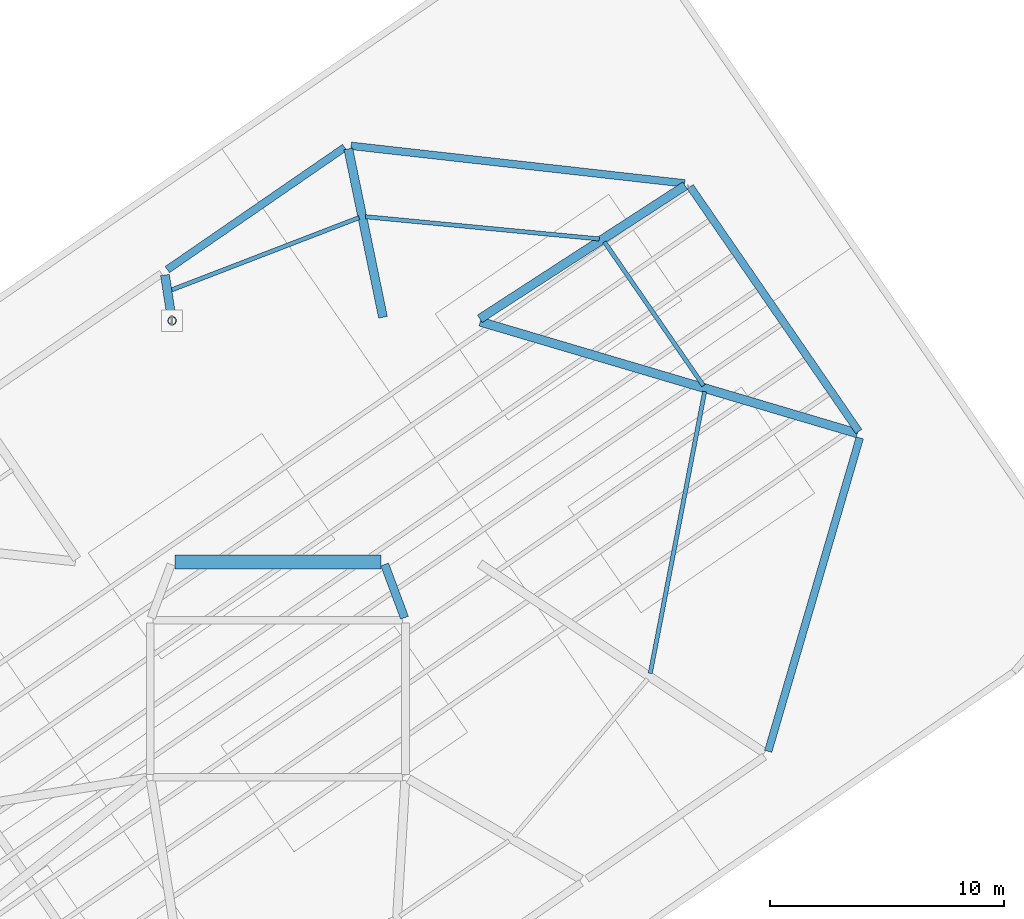
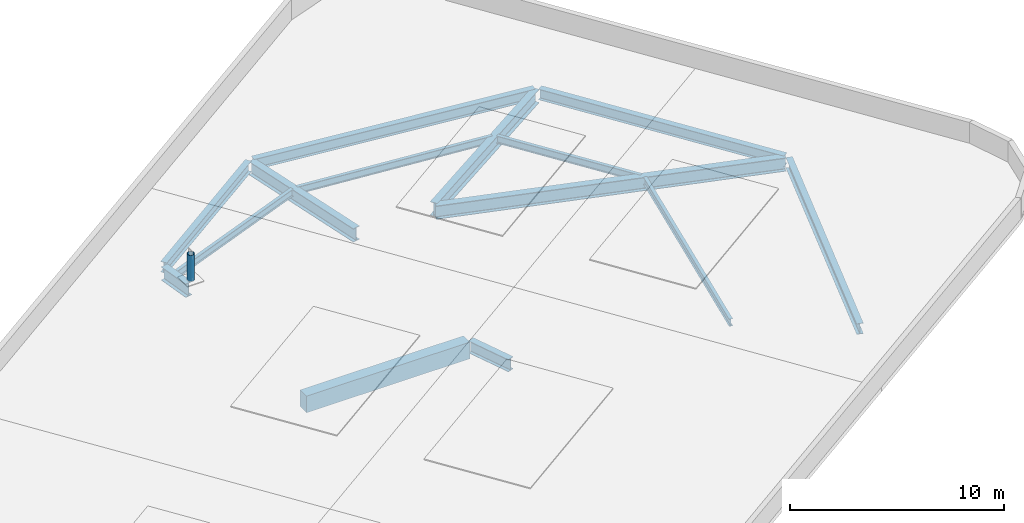
# One storey, part 2 of 7: 14 beams, 1 member.
"""IFC4 building model written with IfcOpenShell, lengths in metres."""

from ifc_helpers import new_model, si_unit, direction, frame, origin, origin_2d, place, context, subcontext, project, spatial, rectangle, hollow_circle, i_section, extrude, material, material_profile, profile_set, type_object, element, save


model = new_model("IFC4")

# Units and contexts
model_context = context("Model", 3, precision=1e-05, world=origin(), true_north=direction((0.0, 1.0)))
body_context = subcontext(model_context, "Body", "Model", "MODEL_VIEW")
ifc_project = project(units=[si_unit("LENGTHUNIT", "METRE"), si_unit("AREAUNIT", "SQUARE_METRE"), si_unit("VOLUMEUNIT", "CUBIC_METRE"), si_unit("PLANEANGLEUNIT", "RADIAN"), si_unit("MASSUNIT", "GRAM", prefix="KILO")], contexts=[model_context])

# Site, building, storey
site_placement = place(None, origin())
site = spatial("IfcSite", under=ifc_project, at=site_placement, CompositionType="ELEMENT")
building_placement = place(site_placement, origin())
building = spatial("IfcBuilding", under=site, at=building_placement, Name="Varnelok Gate Tower", CompositionType="ELEMENT")
storey_placement = place(building_placement, frame((0.0, 0.0, 310.699951171875)))
storey = spatial("IfcBuildingStorey", under=building, at=storey_placement, Name="ROOF", CompositionType="ELEMENT", Elevation=310.699951171875)

# Beams
ifc_material_1 = material(Name="Structural Steel ASTM A992 Grade 50", Category="steel")
ifc_material_profile_1 = material_profile(ifc_material_1, i_section(OverallWidth=0.180908203125, OverallDepth=0.4169921875, WebThickness=0.010986328125, FlangeThickness=0.018310546875, FilletRadius=0.013916015625, at=origin_2d()), Name="W16X57")
ifc_profile_set_1 = profile_set([ifc_material_profile_1], Name="Structural Steel ASTM A992 Grade 50")
beam_type_1 = type_object("IfcBeamType", Name="BM-JST-W16X57", PredefinedType="JOIST", material=ifc_profile_set_1)
beam_1_placement = place(storey_placement, frame((55.10693359375, 23.98681640625, -0.468505859375), z_axis=(0.189562394842, 0.98186867679, 0.0), x_axis=(-0.98186867679, 0.189562394842, 0.0)))
element("IfcBeam", 1, at=beam_1_placement, inside=storey, type_object=beam_type_1, Name="ROOF Sector Floor Joist 4", PredefinedType="JOIST", context=body_context, shape_type="SweptSolid", body=[
    extrude(i_section(OverallWidth=0.180908203125, OverallDepth=0.4169921875, WebThickness=0.010986328125, FlangeThickness=0.018310546875, FilletRadius=0.013916015625, at=origin_2d()), origin(), (0.0, 0.0, 1.0), 12.25830078125),
])
beam_2_placement = place(storey_placement, frame((57.377685546875, 36.27587890625, -0.468505859375), z_axis=(-0.567272169086, 0.823530379634, 0.0), x_axis=(-0.823530379634, -0.567272169086, 0.0)))
element("IfcBeam", 2, at=beam_2_placement, inside=storey, type_object=beam_type_1, Name="ROOF Sector Floor Joist 5", PredefinedType="JOIST", context=body_context, shape_type="SweptSolid", body=[
    extrude(i_section(OverallWidth=0.180908203125, OverallDepth=0.4169921875, WebThickness=0.010986328125, FlangeThickness=0.018310546875, FilletRadius=0.013916015625, at=origin_2d()), origin(), (0.0, 0.0, 1.0), 7.455078125),
])
beam_3_placement = place(storey_placement, frame((52.929931640625, 42.543701171875, -0.468505859375), z_axis=(-0.995525716897, 0.094490988969, 0.0), x_axis=(-0.094490988969, -0.995525716897, 0.0)))
element("IfcBeam", 3, at=beam_3_placement, inside=storey, type_object=beam_type_1, Name="ROOF Sector Floor Joist 6", PredefinedType="JOIST", context=body_context, shape_type="SweptSolid", body=[
    extrude(i_section(OverallWidth=0.180908203125, OverallDepth=0.4169921875, WebThickness=0.010986328125, FlangeThickness=0.018310546875, FilletRadius=0.013916015625, at=origin_2d()), origin(), (0.0, 0.0, 1.0), 10.03271484375),
])
beam_4_placement = place(storey_placement, frame((42.672119140625, 43.45458984375, -0.468505859375), z_axis=(-0.933047906759, -0.359752142027, 0.0), x_axis=(0.359752142027, -0.933047906759, 0.0)))
element("IfcBeam", 4, at=beam_4_placement, inside=storey, type_object=beam_type_1, Name="ROOF Sector Floor Joist 7", PredefinedType="JOIST", context=body_context, shape_type="SweptSolid", body=[
    extrude(i_section(OverallWidth=0.180908203125, OverallDepth=0.4169921875, WebThickness=0.010986328125, FlangeThickness=0.018310546875, FilletRadius=0.013916015625, at=origin_2d()), origin(), (0.0, 0.0, 1.0), 8.6328125),
])
ifc_material_2 = material(Name="Concrete C60/75", Category="concrete")
ifc_material_profile_2 = material_profile(ifc_material_2, rectangle(XDim=0.60009765625, YDim=0.949951171875, at=origin_2d()), Name="RC950X600")
ifc_profile_set_2 = profile_set([ifc_material_profile_2], Name="Concrete C60/75")
beam_type_2 = type_object("IfcBeamType", Name="BM-LNT-RC950", PredefinedType="LINTEL", material=ifc_profile_set_2)
beam_5_placement = place(storey_placement, frame((34.800048828125, 28.75, -0.73486328125), z_axis=(1.0, 0.0, 0.0), x_axis=(0.0, 1.0, 0.0)))
element("IfcBeam", 5, at=beam_5_placement, inside=storey, type_object=beam_type_2, Name="ROOF Core-Atrium Spine Beam 7", PredefinedType="LINTEL", context=body_context, shape_type="SweptSolid", body=[
    extrude(rectangle(XDim=0.60009765625, YDim=0.949951171875, at=origin_2d()), origin(), (0.0, 0.0, 1.0), 8.800048828125),
])
ifc_material_profile_3 = material_profile(ifc_material_1, i_section(OverallWidth=0.35498046875, OverallDepth=0.696044921875, WebThickness=0.015380859375, FlangeThickness=0.02490234375, FilletRadius=0.02001953125, at=origin_2d()), Name="W27X146")
ifc_profile_set_3 = profile_set([ifc_material_profile_3], Name="Structural Steel ASTM A992 Grade 50")
beam_type_3 = type_object("IfcBeamType", Name="BM-PRI-W27X146", PredefinedType="BEAM", material=ifc_profile_set_3)
beam_6_placement = place(storey_placement, frame((44.608154296875, 26.362548828125, -0.60791015625), z_axis=(-0.348719329408, 0.937227202602, 0.0), x_axis=(-0.937227202602, -0.348719329408, 0.0)))
element("IfcBeam", 6, at=beam_6_placement, inside=storey, type_object=beam_type_3, Name="ROOF Core-Atrium Spine Beam 13", PredefinedType="BEAM", context=body_context, shape_type="SweptSolid", body=[
    extrude(i_section(OverallWidth=0.35498046875, OverallDepth=0.696044921875, WebThickness=0.015380859375, FlangeThickness=0.02490234375, FilletRadius=0.02001953125, at=origin_2d()), origin(), (0.0, 0.0, 1.0), 2.42724609375),
])
ifc_material_profile_4 = material_profile(ifc_material_1, i_section(OverallWidth=0.381103515625, OverallDepth=0.77294921875, WebThickness=0.0166015625, FlangeThickness=0.027099609375, FilletRadius=0.02197265625, at=origin_2d()), Name="W30X173")
ifc_profile_set_4 = profile_set([ifc_material_profile_4], Name="Structural Steel ASTM A992 Grade 50")
beam_type_4 = type_object("IfcBeamType", Name="BM-PRI-W30X173", PredefinedType="BEAM", material=ifc_profile_set_4)
beam_7_placement = place(storey_placement, frame((47.84375, 39.00732421875, -0.646484375), z_axis=(0.958841196599, -0.283942881059, 0.0), x_axis=(0.283942881059, 0.958841196599, 0.0)))
element("IfcBeam", 7, at=beam_7_placement, inside=storey, type_object=beam_type_4, Name="ROOF Radial Floor Girder 5", PredefinedType="BEAM", context=body_context, shape_type="SweptSolid", body=[
    extrude(i_section(OverallWidth=0.381103515625, OverallDepth=0.77294921875, WebThickness=0.0166015625, FlangeThickness=0.027099609375, FilletRadius=0.02197265625, at=origin_2d()), origin(), (0.0, 0.0, 1.0), 16.802734375),
])
beam_8_placement = place(storey_placement, frame((47.825927734375, 39.131591796875, -0.646484375), z_axis=(0.839123772817, 0.543940524225, 0.0), x_axis=(-0.543940524225, 0.839123772817, 0.0)))
element("IfcBeam", 8, at=beam_8_placement, inside=storey, type_object=beam_type_4, Name="ROOF Radial Floor Girder 6", PredefinedType="BEAM", context=body_context, shape_type="SweptSolid", body=[
    extrude(i_section(OverallWidth=0.381103515625, OverallDepth=0.77294921875, WebThickness=0.0166015625, FlangeThickness=0.027099609375, FilletRadius=0.02197265625, at=origin_2d()), origin(), (0.0, 0.0, 1.0), 10.454345703125),
])
beam_9_placement = place(storey_placement, frame((43.689697265625, 39.197021484375, -0.646484375), z_axis=(-0.201649168815, 0.97945781569, 0.0), x_axis=(-0.97945781569, -0.201649168815, 0.0)))
element("IfcBeam", 9, at=beam_9_placement, inside=storey, type_object=beam_type_4, Name="ROOF Radial Floor Girder 7", PredefinedType="BEAM", context=body_context, shape_type="SweptSolid", body=[
    extrude(i_section(OverallWidth=0.381103515625, OverallDepth=0.77294921875, WebThickness=0.0166015625, FlangeThickness=0.027099609375, FilletRadius=0.02197265625, at=origin_2d()), origin(), (0.0, 0.0, 1.0), 7.34423828125),
])
beam_10_placement = place(storey_placement, frame((34.656982421875, 39.1982421875, -0.646484375), z_axis=(-0.15318403046, 0.988197679016, 0.0), x_axis=(-0.988197679016, -0.15318403046, 0.0)))
element("IfcBeam", 10, at=beam_10_placement, inside=storey, type_object=beam_type_4, Name="ROOF Radial Floor Girder 8", PredefinedType="BEAM", context=body_context, shape_type="SweptSolid", body=[
    extrude(i_section(OverallWidth=0.381103515625, OverallDepth=0.77294921875, WebThickness=0.0166015625, FlangeThickness=0.027099609375, FilletRadius=0.02197265625, at=origin_2d()), origin(), (0.0, 0.0, 1.0), 1.8232421875),
])
ifc_material_profile_5 = material_profile(ifc_material_1, i_section(OverallWidth=0.323974609375, OverallDepth=0.611083984375, WebThickness=0.0126953125, FlangeThickness=0.01904296875, FilletRadius=0.01806640625, at=origin_2d()), Name="W24X104")
ifc_profile_set_5 = profile_set([ifc_material_profile_5], Name="Structural Steel ASTM A992 Grade 50")
beam_type_5 = type_object("IfcBeamType", Name="BM-SPN-W24X104", PredefinedType="SPANDREL", material=ifc_profile_set_5)
beam_11_placement = place(storey_placement, frame((60.14599609375, 20.65771484375, -0.5654296875), z_axis=(0.280305063046, 0.959910970679, 0.0), x_axis=(-0.959910970679, 0.280305063046, 0.0)))
element("IfcBeam", 11, at=beam_11_placement, inside=storey, type_object=beam_type_5, Name="ROOF Perimeter Spandrel Beam 4", PredefinedType="SPANDREL", context=body_context, shape_type="SweptSolid", body=[
    extrude(i_section(OverallWidth=0.323974609375, OverallDepth=0.611083984375, WebThickness=0.0126953125, FlangeThickness=0.01904296875, FilletRadius=0.01806640625, at=origin_2d()), origin(), (0.0, 0.0, 1.0), 13.951416015625),
])
beam_12_placement = place(storey_placement, frame((64.013671875, 34.317138671875, -0.5654296875), z_axis=(-0.56726612552, 0.823534542589, 0.0), x_axis=(-0.823534542589, -0.56726612552, 0.0)))
element("IfcBeam", 12, at=beam_12_placement, inside=storey, type_object=beam_type_5, Name="ROOF Perimeter Spandrel Beam 5", PredefinedType="SPANDREL", context=body_context, shape_type="SweptSolid", body=[
    extrude(i_section(OverallWidth=0.323974609375, OverallDepth=0.611083984375, WebThickness=0.0126953125, FlangeThickness=0.01904296875, FilletRadius=0.01806640625, at=origin_2d()), origin(), (0.0, 0.0, 1.0), 12.7001953125),
])
beam_13_placement = place(storey_placement, frame((56.5751953125, 44.91650390625, -0.5654296875), z_axis=(-0.993722587756, 0.111872331629, 0.0), x_axis=(-0.111872331629, -0.993722587756, 0.0)))
element("IfcBeam", 13, at=beam_13_placement, inside=storey, type_object=beam_type_5, Name="ROOF Perimeter Spandrel Beam 6", PredefinedType="SPANDREL", context=body_context, shape_type="SweptSolid", body=[
    extrude(i_section(OverallWidth=0.323974609375, OverallDepth=0.611083984375, WebThickness=0.0126953125, FlangeThickness=0.01904296875, FilletRadius=0.01806640625, at=origin_2d()), origin(), (0.0, 0.0, 1.0), 14.337890625),
])
beam_14_placement = place(storey_placement, frame((42.054931640625, 46.4521484375, -0.5654296875), z_axis=(-0.823544516234, -0.567251645905, 0.0), x_axis=(0.567251645905, -0.823544516234, 0.0)))
element("IfcBeam", 14, at=beam_14_placement, inside=storey, type_object=beam_type_5, Name="ROOF Perimeter Spandrel Beam 7", PredefinedType="SPANDREL", context=body_context, shape_type="SweptSolid", body=[
    extrude(i_section(OverallWidth=0.323974609375, OverallDepth=0.611083984375, WebThickness=0.0126953125, FlangeThickness=0.01904296875, FilletRadius=0.01806640625, at=origin_2d()), origin(), (0.0, 0.0, 1.0), 9.199951171875),
])

# Member
ifc_material_3 = material(Name="Structural Steel ASTM A500 Grade C", Category="steel")
ifc_material_profile_6 = material_profile(ifc_material_3, hollow_circle(Radius=0.177978515625, WallThickness=0.01611328125, at=origin_2d()), Name="CHS356X16")
ifc_profile_set_6 = profile_set([ifc_material_profile_6], Name="Structural Steel ASTM A500 Grade C")
member_type = type_object("IfcMemberType", Name="MEM-CROWN-STRUT", PredefinedType="CHORD", material=ifc_profile_set_6)
member_placement = place(storey_placement, frame((34.679931640625, 39.050048828125, 0.0), z_axis=(0.0, 0.0, 1.0), x_axis=(1.0, 0.0, 0.0)))
element("IfcMember", 15, at=member_placement, inside=storey, type_object=member_type, Name="Roof BMU Davit Mast Post BMU-1", PredefinedType="CHORD", context=body_context, shape_type="SweptSolid", body=[
    extrude(hollow_circle(Radius=0.177978515625, WallThickness=0.01611328125, at=origin_2d()), origin(), (0.0, 0.0, 1.0), 1.5),
])

save(model, "model.ifc")
